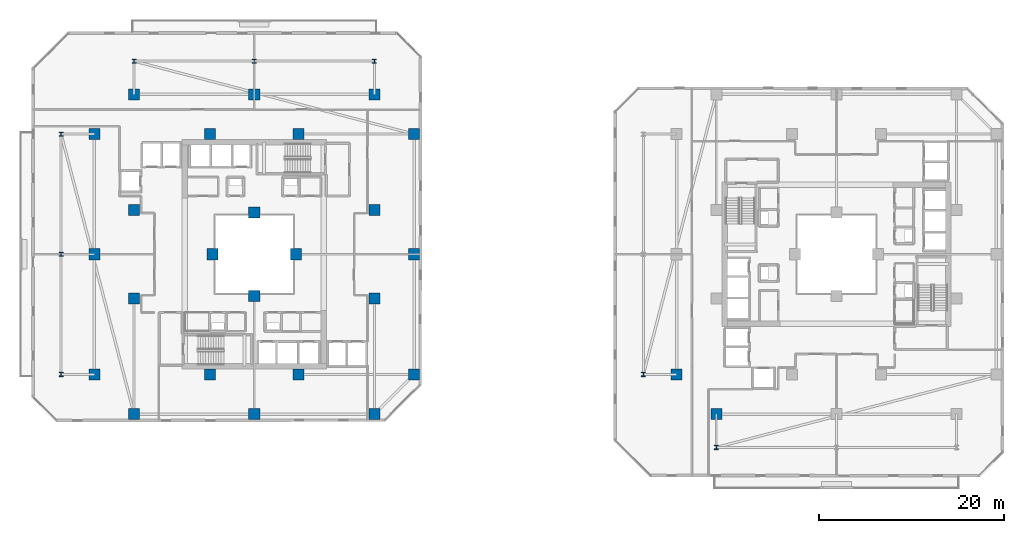
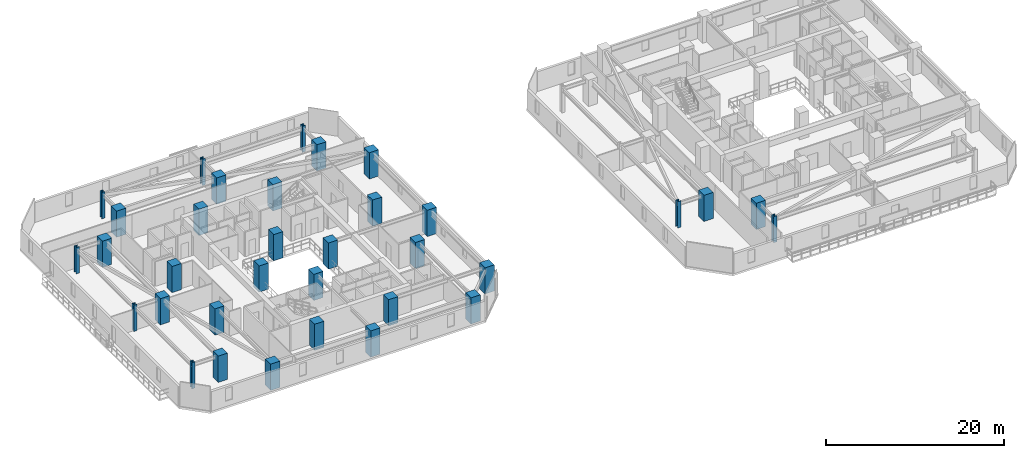
# One storey, part 1 of 33: 34 columns.
"""IFC4 building model written with IfcOpenShell, lengths in metres."""

from ifc_helpers import new_model, si_unit, direction, frame, origin, origin_2d, place, context, subcontext, project, spatial, rectangle, i_section, extrude, material, material_profile, profile_set, type_object, element, save


model = new_model("IFC4")

# Units and contexts
model_context = context("Model", 3, precision=1e-05, world=origin(), true_north=direction((0.0, 1.0)))
body_context = subcontext(model_context, "Body", "Model", "MODEL_VIEW")
ifc_project = project(units=[si_unit("LENGTHUNIT", "METRE"), si_unit("AREAUNIT", "SQUARE_METRE"), si_unit("VOLUMEUNIT", "CUBIC_METRE"), si_unit("PLANEANGLEUNIT", "RADIAN"), si_unit("MASSUNIT", "GRAM", prefix="KILO")], contexts=[model_context])

# Site, building, storey
site_placement = place(None, origin())
site = spatial("IfcSite", under=ifc_project, at=site_placement, CompositionType="ELEMENT")
building_placement = place(site_placement, origin())
building = spatial("IfcBuilding", under=site, at=building_placement, Name="Thornwick Lancets Civic Towers", CompositionType="ELEMENT")
storey_placement = place(building_placement, frame((0.0, 0.0, 101.699951171875)))
storey = spatial("IfcBuildingStorey", under=building, at=storey_placement, Name="L26", CompositionType="ELEMENT", Elevation=101.699951171875)

# Columns
ifc_material_1 = material(Name="Concrete C60/75", Category="concrete")
ifc_material_profile_1 = material_profile(ifc_material_1, rectangle(XDim=1.199951171875, YDim=1.199951171875, at=origin_2d()), Name="RC 1200x1200")
ifc_profile_set_1 = profile_set([ifc_material_profile_1], Name="Concrete C60/75")
column_type_1 = type_object("IfcColumnType", Name="COL_RC_1200", PredefinedType="COLUMN", material=ifc_profile_set_1)
for number, where, z_axis, x_axis, name in (
    (1, (12.5, 9.699951171875, 0.0), (0.0, 0.0, 1.0), (1.0, 0.0, 0.0), "L26 Spine Mega-Column A01"),
    (2, (25.5, 9.699951171875, 0.0), (0.0, 0.0, 1.0), (1.0, 0.0, 0.0), "L26 Spine Mega-Column A02"),
    (3, (38.5, 9.699951171875, 0.0), (0.0, 0.0, 1.0), (1.0, 0.0, 0.0), "L26 Spine Mega-Column A03"),
    (4, (42.800048828125, 14.0, 0.0), (0.0, 0.0, 1.0), (1.0, 0.0, 0.0), "L26 Spine Mega-Column A04"),
    (5, (42.800048828125, 27.0, 0.0), (0.0, 0.0, 1.0), (1.0, 0.0, 0.0), "L26 Spine Mega-Column A05"),
    (6, (42.800048828125, 40.0, 0.0), (0.0, 0.0, 1.0), (1.0, 0.0, 0.0), "L26 Spine Mega-Column A06"),
    (7, (12.5, 44.300048828125, 0.0), (0.0, 0.0, 1.0), (1.0, 0.0, 0.0), "L26 Spine Mega-Column A07"),
    (8, (25.5, 44.300048828125, 0.0), (0.0, 0.0, 1.0), (1.0, 0.0, 0.0), "L26 Spine Mega-Column A08"),
    (9, (38.5, 44.300048828125, 0.0), (0.0, 0.0, 1.0), (1.0, 0.0, 0.0), "L26 Spine Mega-Column A09"),
    (10, (8.199951171875, 14.0, 0.0), (0.0, 0.0, 1.0), (1.0, 0.0, 0.0), "L26 Spine Mega-Column A10"),
    (11, (8.199951171875, 27.0, 0.0), (0.0, 0.0, 1.0), (1.0, 0.0, 0.0), "L26 Spine Mega-Column A11"),
    (12, (8.199951171875, 40.0, 0.0), (0.0, 0.0, 1.0), (1.0, 0.0, 0.0), "L26 Spine Mega-Column A12"),
    (13, (12.5, 22.199951171875, 0.0), (0.0, 0.0, 1.0), (1.0, 0.0, 0.0), "L26 Spine Mega-Column A13"),
    (14, (38.5, 22.199951171875, 0.0), (0.0, 0.0, 1.0), (1.0, 0.0, 0.0), "L26 Spine Mega-Column A14"),
    (15, (12.5, 31.800048828125, 0.0), (0.0, 0.0, 1.0), (1.0, 0.0, 0.0), "L26 Spine Mega-Column A15"),
    (16, (38.5, 31.800048828125, 0.0), (0.0, 0.0, 1.0), (1.0, 0.0, 0.0), "L26 Spine Mega-Column A16"),
    (17, (20.699951171875, 14.0, 0.0), (0.0, 0.0, 1.0), (1.0, 0.0, 0.0), "L26 Spine Mega-Column A17"),
    (18, (30.300048828125, 14.0, 0.0), (0.0, 0.0, 1.0), (1.0, 0.0, 0.0), "L26 Spine Mega-Column A18"),
    (19, (20.699951171875, 40.0, 0.0), (0.0, 0.0, 1.0), (1.0, 0.0, 0.0), "L26 Spine Mega-Column A19"),
    (20, (30.300048828125, 40.0, 0.0), (0.0, 0.0, 1.0), (1.0, 0.0, 0.0), "L26 Spine Mega-Column A20"),
    (21, (25.5, 22.5, 0.0), (0.0, 0.0, 1.0), (1.0, 0.0, 0.0), "L26 Spine Mega-Column A21"),
    (22, (25.5, 31.5, 0.0), (0.0, 0.0, 1.0), (1.0, 0.0, 0.0), "L26 Spine Mega-Column A22"),
    (23, (21.0, 27.0, 0.0), (0.0, 0.0, 1.0), (1.0, 0.0, 0.0), "L26 Spine Mega-Column A23"),
    (24, (30.0, 27.0, 0.0), (0.0, 0.0, 1.0), (1.0, 0.0, 0.0), "L26 Spine Mega-Column A24"),
    (25, (71.199951171875, 14.0, 0.0), (0.0, 0.0, 1.0), (1.0, 0.0, 0.0), "L26 Spine Mega-Column B07"),
    (26, (75.5, 9.699951171875, 0.0), (0.0, 0.0, 1.0), (1.0, 0.0, 0.0), "L26 Spine Mega-Column B12"),
):
    element("IfcColumn", number, at=place(storey_placement, frame(where, z_axis=z_axis, x_axis=x_axis)), inside=storey, type_object=column_type_1, Name=name, PredefinedType="COLUMN", context=body_context, shape_type="SweptSolid", body=[
        extrude(rectangle(XDim=1.199951171875, YDim=1.199951171875, at=origin_2d()), origin(), (0.0, 0.0, 1.0), 3.60009765625),
    ])
ifc_material_2 = material(Name="Steel S460M", Category="steel")
ifc_material_profile_2 = material_profile(ifc_material_2, i_section(OverallWidth=0.41845703125, OverallDepth=0.45556640625, WebThickness=0.0419921875, FlangeThickness=0.0673828125, FilletRadius=0.01513671875, at=origin_2d()), Name="UKC 356x406x551")
ifc_profile_set_2 = profile_set([ifc_material_profile_2], Name="Steel S460M")
column_type_2 = type_object("IfcColumnType", Name="COL_UKC_551", PredefinedType="COLUMN", material=ifc_profile_set_2)
for number, where, z_axis, x_axis, name in (
    (27, (12.5, 47.89990234375, 0.0), (0.0, 0.0, 1.0), (1.0, 0.0, 0.0), "L26 Block Perimeter Column A07"),
    (28, (25.5, 47.89990234375, 0.0), (0.0, 0.0, 1.0), (1.0, 0.0, 0.0), "L26 Block Perimeter Column A08"),
    (29, (38.5, 47.89990234375, 0.0), (0.0, 0.0, 1.0), (1.0, 0.0, 0.0), "L26 Block Perimeter Column A09"),
    (30, (4.60009765625, 14.0, 0.0), (0.0, 0.0, 1.0), (1.0, 0.0, 0.0), "L26 Block Perimeter Column A10"),
    (31, (4.60009765625, 27.0, 0.0), (0.0, 0.0, 1.0), (1.0, 0.0, 0.0), "L26 Block Perimeter Column A11"),
    (32, (4.60009765625, 40.0, 0.0), (0.0, 0.0, 1.0), (1.0, 0.0, 0.0), "L26 Block Perimeter Column A12"),
    (33, (67.60009765625, 14.0, 0.0), (0.0, 0.0, 1.0), (1.0, 0.0, 0.0), "L26 Block Perimeter Column B07"),
    (34, (75.5, 6.10009765625, 0.0), (0.0, 0.0, 1.0), (1.0, 0.0, 0.0), "L26 Block Perimeter Column B12"),
):
    element("IfcColumn", number, at=place(storey_placement, frame(where, z_axis=z_axis, x_axis=x_axis)), inside=storey, type_object=column_type_2, Name=name, PredefinedType="COLUMN", context=body_context, shape_type="SweptSolid", body=[
        extrude(i_section(OverallWidth=0.41845703125, OverallDepth=0.45556640625, WebThickness=0.0419921875, FlangeThickness=0.0673828125, FilletRadius=0.01513671875, at=origin_2d()), origin(), (0.0, 0.0, 1.0), 3.60009765625),
    ])

save(model, "model.ifc")
